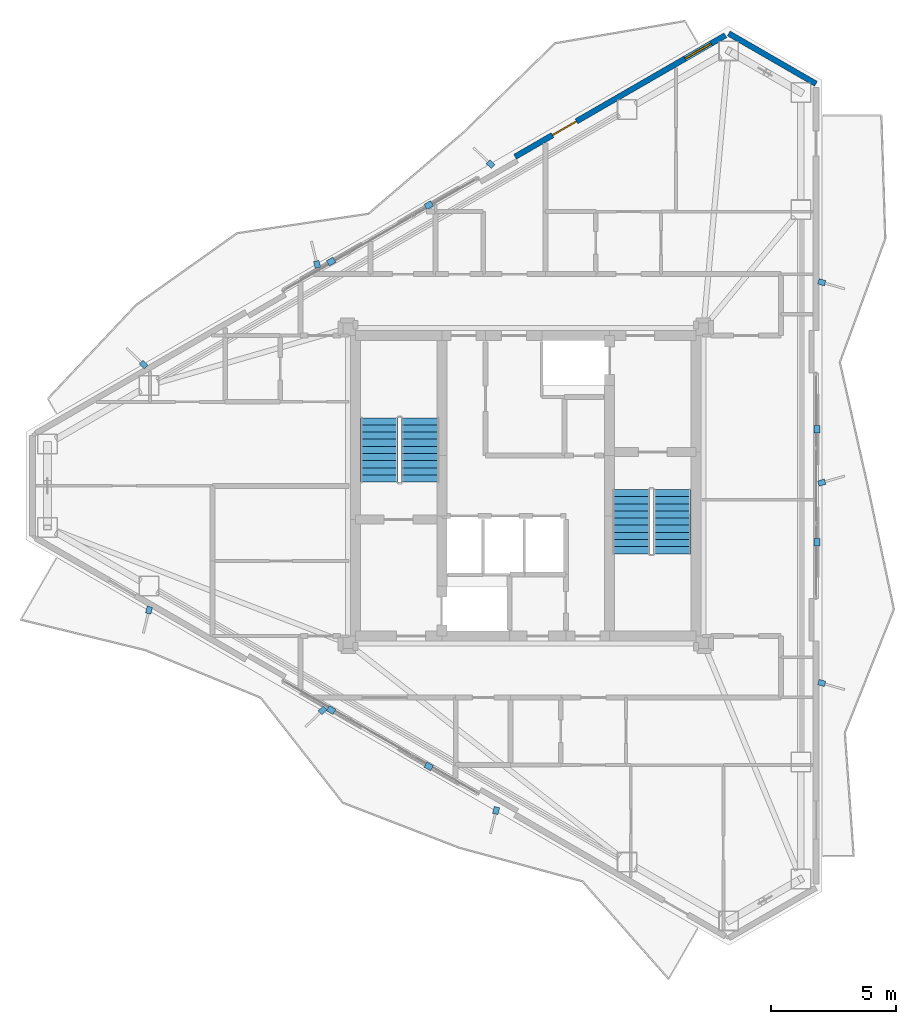
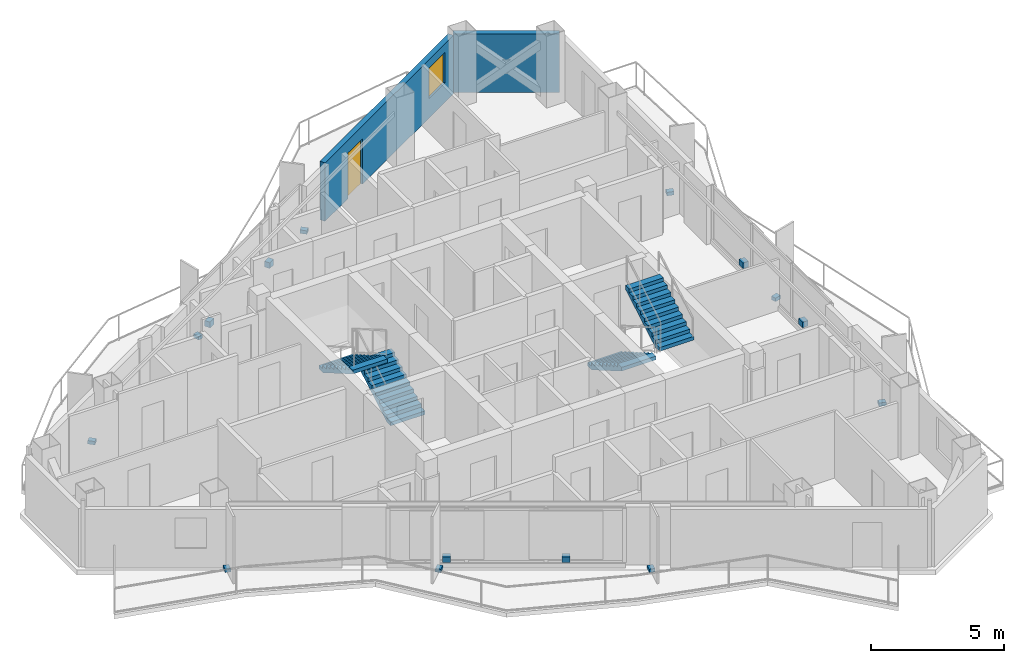
# One storey, part 20 of 22: 15 discrete accessories, 4 stair flights, 2 walls, 1 door, 1 window, 2 openings, 2 elements without a shape of their own.
"""IFC4 building model written with IfcOpenShell, lengths in metres."""

import ifcopenshell
import ifcopenshell.guid

model = None  # the IFC model being written
_history = None  # IfcOwnerHistory: only IFC2X3 demands one
_inside = {}  # id of a spatial element -> (the spatial element, [elements in it])
_under = {}  # id of a project, library or spatial element -> (it, [spatial elements below it])
_declared = {}  # id of a project -> (the project, [libraries it declares])
_typed = {}  # id of a type object -> (the type object, [elements of that type])
_made_of = {}  # id of a material, layer set ... -> (it, [elements and type objects made of it])


def new_model(schema):
    """Start an empty IFC model of exactly this schema.

    Asked for "IFC4X3", IfcOpenShell would pick the latest addendum, in which some entities
    have other attributes; the version numbers below select the first issue.
    IFC2X3 requires an IfcOwnerHistory on every rooted entity: one is made here for all.
    """
    global model, _history
    if schema == "IFC4X3":
        model = ifcopenshell.file(schema_version=(4, 3, 0, 0))
    else:
        model = ifcopenshell.file(schema=schema)
    _inside.clear()
    _under.clear()
    _declared.clear()
    _typed.clear()
    _made_of.clear()
    _history = None
    if model.schema == "IFC2X3":
        org = make("IfcOrganization", Name="unknown")
        user = make(
            "IfcPersonAndOrganization",
            ThePerson=make("IfcPerson", FamilyName="unknown"),
            TheOrganization=org,
        )
        app = make(
            "IfcApplication",
            ApplicationDeveloper=org,
            Version="unknown",
            ApplicationFullName="unknown",
            ApplicationIdentifier="unknown",
        )
        _history = make(
            "IfcOwnerHistory",
            OwningUser=user,
            OwningApplication=app,
            ChangeAction="ADDED",
            CreationDate=0,
        )
    return model


def make(cls, **values):
    """One entity of the class cls with the attributes given. An attribute that is None is left unset."""
    return model.create_entity(
        cls, **{name: value for name, value in values.items() if value is not None}
    )


def rooted(cls, **values):
    """An entity with a GlobalId (a new one), such as an element, a storey or a relation."""
    return make(cls, GlobalId=ifcopenshell.guid.new(), OwnerHistory=_history, **values)


def si_unit(unit_type, name, prefix=None):
    """IfcSIUnit, for example si_unit("LENGTHUNIT", "METRE", prefix="MILLI")."""
    return make("IfcSIUnit", UnitType=unit_type, Prefix=prefix, Name=name)


def assignment(units):
    """IfcUnitAssignment: the units of a project."""
    return None if units is None else make("IfcUnitAssignment", Units=units)


def point(xyz):
    """IfcCartesianPoint."""
    return None if xyz is None else make("IfcCartesianPoint", Coordinates=xyz)


def direction(xyz):
    """IfcDirection."""
    return None if xyz is None else make("IfcDirection", DirectionRatios=xyz)


def frame(location, z_axis=None, x_axis=None):
    """IfcAxis2Placement3D, a coordinate frame: its origin and axes. An axis left out is left unset."""
    return make(
        "IfcAxis2Placement3D",
        Location=point(location),
        Axis=direction(z_axis),
        RefDirection=direction(x_axis),
    )


def frame_2d(location, x_axis=None):
    """IfcAxis2Placement2D, a coordinate frame in the plane: its origin and x axis."""
    return make(
        "IfcAxis2Placement2D", Location=point(location), RefDirection=direction(x_axis)
    )


def origin():
    """The frame at (0, 0, 0) with its axes left unset."""
    return frame((0.0, 0.0, 0.0))


def origin_2d():
    """The frame at (0, 0) in the plane with its x axis left unset."""
    return frame_2d((0.0, 0.0))


def place(relative_to, where):
    """IfcLocalPlacement: puts the frame where relative to a parent placement (None: the world)."""
    return make(
        "IfcLocalPlacement", PlacementRelTo=relative_to, RelativePlacement=where
    )


def context(
    kind, dimensions, precision=None, world=None, true_north=None, identifier=None
):
    """IfcGeometricRepresentationContext, for example the 3D "Model" context."""
    return make(
        "IfcGeometricRepresentationContext",
        ContextIdentifier=identifier,
        ContextType=kind,
        CoordinateSpaceDimension=dimensions,
        Precision=precision,
        WorldCoordinateSystem=world,
        TrueNorth=true_north,
    )


def subcontext(parent, identifier, kind, view, scale=None):
    """IfcGeometricRepresentationSubContext, for example "Body" below "Model"."""
    return make(
        "IfcGeometricRepresentationSubContext",
        ContextIdentifier=identifier,
        ContextType=kind,
        ParentContext=parent,
        TargetScale=scale,
        TargetView=view,
    )


def project(units=None, contexts=None):
    """IfcProject with its units and contexts."""
    return rooted(
        "IfcProject",
        Name="project",
        RepresentationContexts=contexts,
        UnitsInContext=assignment(units),
    )


def spatial(cls, under=None, at=None, **own):
    """A site, building, storey or space (cls), placed at a placement, below another one or the project."""
    s = rooted(cls, ObjectPlacement=at, **own)
    if under is not None:
        _under.setdefault(under.id(), (under, []))[1].append(s)
    return s


def polyline(points):
    """IfcPolyline through the points."""
    return make("IfcPolyline", Points=[point(p) for p in points])


def profile(cls, at=None, kind="AREA", **sizes):
    """A parametric profile (cls). Its sizes go by their IFC names, for example OverallWidth=200.0."""
    return make(cls, ProfileType=kind, Position=at, **sizes)


def rectangle(**sizes):
    """IfcRectangleProfileDef."""
    return profile("IfcRectangleProfileDef", **sizes)


def outline(outer, holes=None, kind="AREA"):
    """IfcArbitraryClosedProfileDef: a profile drawn as a closed curve; with holes, ...WithVoids."""
    if holes is None:
        return make("IfcArbitraryClosedProfileDef", ProfileType=kind, OuterCurve=outer)
    return make(
        "IfcArbitraryProfileDefWithVoids",
        ProfileType=kind,
        OuterCurve=outer,
        InnerCurves=holes,
    )


def extrude(swept, where, along, depth):
    """IfcExtrudedAreaSolid: the profile swept, set in the frame where, extruded along a direction by depth."""
    return make(
        "IfcExtrudedAreaSolid",
        SweptArea=swept,
        Position=where,
        ExtrudedDirection=direction(along),
        Depth=depth,
    )


def shape(context_of_items, identifier, shape_type, items):
    """IfcShapeRepresentation: the items that make up one representation, for example the "Body"."""
    return make(
        "IfcShapeRepresentation",
        ContextOfItems=context_of_items,
        RepresentationIdentifier=identifier,
        RepresentationType=shape_type,
        Items=items,
    )


def material(Name=None, Category=None):
    """IfcMaterial."""
    return make("IfcMaterial", Name=Name, Category=Category)


def layer(
    of_material, thickness, ventilated=None, Name=None, Category=None, Priority=None
):
    """IfcMaterialLayer: one layer of a wall or slab, of a material (None: an air gap)."""
    return make(
        "IfcMaterialLayer",
        Material=of_material,
        LayerThickness=thickness,
        IsVentilated=ventilated,
        Name=Name,
        Category=Category,
        Priority=Priority,
    )


def layer_set(layers, Name=None):
    """IfcMaterialLayerSet."""
    return make("IfcMaterialLayerSet", MaterialLayers=layers, LayerSetName=Name)


def made_of(thing, what):
    """Note that an element or type object is made of a material, layer set ...; save() writes the relation."""
    if what is not None:
        _made_of.setdefault(what.id(), (what, []))[1].append(thing)
    return thing


def type_object(cls, material=None, **own):
    """A type object (cls), such as IfcWallType, which elements share."""
    return made_of(rooted(cls, **own), material)


def element(
    cls,
    number,
    at=None,
    inside=None,
    cuts=None,
    type_object=None,
    material=None,
    context=None,
    identifier="Body",
    shape_type=None,
    held_by="IfcProductDefinitionShape",
    body=None,
    shapes=None,
    **own,
):
    """One element of the class cls, such as IfcWall. Its Tag is "e" and its number.

    at: its placement. inside: the storey or other place that contains it. cuts: it is an
    opening in that element (IfcRelVoidsElement). A single representation is given by context,
    identifier, shape_type and body (its items); several are given by shapes. held_by: the class
    of the entity that holds the representations. save() writes the other relations.
    """
    e = rooted(cls, Tag="e%d" % number, ObjectPlacement=at, **own)
    if body is not None:
        shapes = [shape(context, identifier, shape_type, body)]
    if shapes is not None:
        e.Representation = make(held_by, Representations=shapes)
    if inside is not None:
        _inside.setdefault(inside.id(), (inside, []))[1].append(e)
    if cuts is not None:
        rooted(
            "IfcRelVoidsElement", RelatingBuildingElement=cuts, RelatedOpeningElement=e
        )
    if type_object is not None:
        _typed.setdefault(type_object.id(), (type_object, []))[1].append(e)
    return made_of(e, material)


def fill(opening, filler):
    """IfcRelFillsElement: the door or window that sits in an opening."""
    return rooted(
        "IfcRelFillsElement",
        RelatingOpeningElement=opening,
        RelatedBuildingElement=filler,
    )


def aggregate(whole, parts):
    """IfcRelAggregates: a whole, such as a stair, and the parts it consists of."""
    return rooted("IfcRelAggregates", RelatingObject=whole, RelatedObjects=parts)


def save(model, path):
    """Write the relations noted so far, then the file.

    IfcRelAggregates (storeys below a building ...), IfcRelContainedInSpatialStructure (elements
    in a storey), IfcRelDefinesByType, IfcRelAssociatesMaterial and IfcRelDeclares: one each for
    every whole, place, type object, material and project.
    """
    for whole, parts in _under.values():
        aggregate(whole, parts)
    for where, things in _inside.values():
        rooted(
            "IfcRelContainedInSpatialStructure",
            RelatedElements=things,
            RelatingStructure=where,
        )
    for kind, things in _typed.values():
        rooted("IfcRelDefinesByType", RelatedObjects=things, RelatingType=kind)
    for what, things in _made_of.values():
        rooted("IfcRelAssociatesMaterial", RelatedObjects=things, RelatingMaterial=what)
    for by, libraries in _declared.values():
        rooted("IfcRelDeclares", RelatingContext=by, RelatedDefinitions=libraries)
    model.write(path)


model = new_model("IFC4")

# Units and contexts
model_context = context("Model", 3, precision=1e-05, world=origin(), true_north=direction((0.0, 1.0)))
body_context = subcontext(model_context, "Body", "Model", "MODEL_VIEW")
ifc_project = project(units=[si_unit("LENGTHUNIT", "METRE"), si_unit("AREAUNIT", "SQUARE_METRE"), si_unit("VOLUMEUNIT", "CUBIC_METRE"), si_unit("PLANEANGLEUNIT", "RADIAN"), si_unit("MASSUNIT", "GRAM", prefix="KILO")], contexts=[model_context])

# Site, building, storey
site_placement = place(None, origin())
site = spatial("IfcSite", under=ifc_project, at=site_placement, CompositionType="ELEMENT")
building_placement = place(site_placement, origin())
building = spatial("IfcBuilding", under=site, at=building_placement, Name="Mersakhor Tower and Convention Hall", CompositionType="ELEMENT")
storey_placement = place(building_placement, frame((0.0, 0.0, 195.300048828125)))
storey = spatial("IfcBuildingStorey", under=building, at=storey_placement, Name="L54", CompositionType="ELEMENT", Elevation=195.300048828125)

# Wall
ifc_material_1 = material(Name="Precast concrete C40/50", Category="concrete")
ifc_layer_1 = layer(ifc_material_1, 0.22509765625)
ifc_layer_set_1 = layer_set([ifc_layer_1], Name="Precast concrete C40/50")
wall_type = type_object("IfcWallType", Name="WL-EXT-225", PredefinedType="SOLIDWALL", material=ifc_layer_set_1)
wall_1_placement = place(storey_placement, frame((37.10400390625, 44.81005859375, 0.0), z_axis=(0.0, 0.0, 1.0), x_axis=(0.866023907196, -0.500002592159, 0.0)))
element("IfcWall", 1, at=wall_1_placement, inside=storey, type_object=wall_type, Name="L54 Chamfer Braced Spandrel Wall C1", PredefinedType="SOLIDWALL", context=body_context, shape_type="SweptSolid", body=[
    extrude(rectangle(XDim=4.0234375, YDim=0.22509765625, at=frame_2d((2.01171875, 0.0))), origin(), (0.0, 0.0, 1.0), 2.68994140625),
])

# Wall, openings, door, window
wall_2_placement = place(storey_placement, frame((28.57470703125, 39.885498046875, 0.0), z_axis=(0.0, 0.0, 1.0), x_axis=(0.866016233231, 0.500015883528, 0.0)))
wall_2 = element("IfcWall", 2, at=wall_2_placement, inside=storey, type_object=wall_type, Name="L54 Exterior Facade Wall F1-B3", PredefinedType="SOLIDWALL", context=body_context, shape_type="SweptSolid", body=[
    extrude(rectangle(XDim=9.698974609375, YDim=0.22509765625, at=frame_2d((4.849609375, 0.0))), origin(), (0.0, 0.0, 1.0), 2.68994140625),
])
opening_1_placement = place(wall_2_placement, frame((1.72998046875, 0.0, 0.0)))
opening_1 = element("IfcOpeningElement", 3, at=opening_1_placement, cuts=wall_2, Name="Opening BD-02", PredefinedType="OPENING", context=body_context, shape_type="SweptSolid", body=[
    extrude(rectangle(XDim=1.10009765625, YDim=2.10009765625, at=frame_2d((0.550048828125, 1.050048828125))), frame((0.0, 0.12255859375, 0.0), z_axis=(0.0, -1.0, 0.0), x_axis=(1.0, 0.0, 0.0)), (0.0, 0.0, 1.0), 0.2451171875),
])
opening_2_placement = place(wall_2_placement, frame((7.8359375, 0.0, 0.89990234375)))
opening_2 = element("IfcOpeningElement", 4, at=opening_2_placement, cuts=wall_2, Name="Opening W-01", PredefinedType="OPENING", context=body_context, shape_type="SweptSolid", body=[
    extrude(rectangle(XDim=1.199951171875, YDim=1.39990234375, at=frame_2d((0.60009765625, 0.699951171875))), frame((0.0, 0.12255859375, 0.0), z_axis=(0.0, -1.0, 0.0), x_axis=(1.0, 0.0, 0.0)), (0.0, 0.0, 1.0), 0.2451171875),
])
ifc_material_2 = material(Name="Thermally broken dark aluminium and safety glass", Category="aluminium")
door_type = type_object("IfcDoorType", Name="DR-BAL-110x210", OperationType="NOTDEFINED", PredefinedType="DOOR", material=ifc_material_2)
door_placement = place(opening_1_placement, origin())
door = element("IfcDoor", 5, at=door_placement, inside=storey, type_object=door_type, Name="L54 Balcony Terrace Door F1-B3", OperationType="SINGLE_SWING_RIGHT", OverallHeight=2.10009765625, OverallWidth=1.10009765625, PredefinedType="DOOR", context=body_context, shape_type="SweptSolid", body=[
    extrude(rectangle(XDim=1.10009765625, YDim=2.10009765625, at=frame_2d((0.550048828125, 1.050048828125))), frame((0.0, 0.02490234375, 0.0), z_axis=(0.0, -1.0, 0.0), x_axis=(1.0, 0.0, 0.0)), (0.0, 0.0, 1.0), 0.050048828125),
])
fill(opening_1, door)
ifc_material_3 = material(Name="Dark solar low-E glazed aluminium window", Category="aluminium")
window_type = type_object("IfcWindowType", Name="WN-RES-120x150", PartitioningType="SINGLE_PANEL", PredefinedType="WINDOW", material=ifc_material_3)
window_placement = place(opening_2_placement, origin())
window = element("IfcWindow", 6, at=window_placement, inside=storey, type_object=window_type, Name="L54 Bedroom Facade Window F1-B3-1", OverallHeight=1.39990234375, OverallWidth=1.199951171875, PartitioningType="SINGLE_PANEL", PredefinedType="WINDOW", context=body_context, shape_type="SweptSolid", body=[
    extrude(rectangle(XDim=1.199951171875, YDim=1.39990234375, at=frame_2d((0.60009765625, 0.699951171875))), frame((0.0, 0.030029296875, 0.0), z_axis=(0.0, -1.0, 0.0), x_axis=(1.0, 0.0, 0.0)), (0.0, 0.0, 1.0), 0.06005859375),
])
fill(opening_2, window)

# Stair, stair flights
ifc_material_4 = material(Name="Concrete C45/55", Category="concrete")
stair_type = type_object("IfcStairType", Name="ST-TWR-20R", PredefinedType="HALF_TURN_STAIR", material=ifc_material_4)
stair_1_placement = place(storey_placement, origin())
stair_1 = element("IfcStair", 7, at=stair_1_placement, inside=storey, type_object=stair_type, Name="L54 Tower Protected Exit Stair ST-1", PredefinedType="HALF_TURN_STAIR")
ifc_material_5 = material(Name="Concrete C45/55", Category="concrete")
stair_flight_type = type_object("IfcStairFlightType", Name="SFL-TWR-20R", PredefinedType="STRAIGHT", material=ifc_material_5)
stair_flight_1_placement = place(storey_placement, frame((24.800048828125, 26.89990234375, 0.0), z_axis=(0.0, 0.0, 1.0), x_axis=(0.0, 1.0, 0.0)))
stair_flight_1 = element("IfcStairFlight", 8, at=stair_flight_1_placement, type_object=stair_flight_type, Name="ST-1 flight 1", NumberOfRisers=10, NumberOfTreads=9, PredefinedType="STRAIGHT", RiserHeight=0.165, TreadLength=0.285, context=body_context, shape_type="SweptSolid", body=[
    extrude(outline(polyline([(0.0, 0.0), (0.0, 0.1650390625), (0.284912109375, 0.1650390625), (0.284912109375, 0.330078125), (0.570068359375, 0.330078125), (0.570068359375, 0.4951171875), (0.85498046875, 0.4951171875), (0.85498046875, 0.659912109375), (1.139892578125, 0.659912109375), (1.139892578125, 0.824951171875), (1.425048828125, 0.824951171875), (1.425048828125, 0.989990234375), (1.7099609375, 0.989990234375), (1.7099609375, 1.155029296875), (1.9951171875, 1.155029296875), (1.9951171875, 1.320068359375), (2.280029296875, 1.320068359375), (2.280029296875, 1.485107421875), (2.56494140625, 1.485107421875), (2.56494140625, 1.64990234375), (2.56494140625, 1.311767578125), (0.299072265625, 0.0), (0.0, 0.0)])), frame((0.0, 0.75, 0.0), z_axis=(0.0, -1.0, 0.0), x_axis=(1.0, 0.0, 0.0)), (0.0, 0.0, 1.0), 1.5),
])
stair_flight_2_placement = place(storey_placement, frame((23.14990234375, 29.465087890625, 1.64990234375), z_axis=(0.0, 0.0, 1.0), x_axis=(0.0, -1.0, 0.0)))
stair_flight_2 = element("IfcStairFlight", 9, at=stair_flight_2_placement, type_object=stair_flight_type, Name="ST-1 flight 2", NumberOfRisers=10, NumberOfTreads=9, PredefinedType="STRAIGHT", RiserHeight=0.165, TreadLength=0.285, context=body_context, shape_type="SweptSolid", body=[
    extrude(outline(polyline([(0.0, 0.0), (0.0, 0.1650390625), (0.284912109375, 0.1650390625), (0.284912109375, 0.330078125), (0.570068359375, 0.330078125), (0.570068359375, 0.4951171875), (0.85498046875, 0.4951171875), (0.85498046875, 0.659912109375), (1.139892578125, 0.659912109375), (1.139892578125, 0.824951171875), (1.425048828125, 0.824951171875), (1.425048828125, 0.989990234375), (1.7099609375, 0.989990234375), (1.7099609375, 1.155029296875), (1.9951171875, 1.155029296875), (1.9951171875, 1.320068359375), (2.280029296875, 1.320068359375), (2.280029296875, 1.485107421875), (2.56494140625, 1.485107421875), (2.56494140625, 1.64990234375), (2.56494140625, 1.311767578125), (0.299072265625, 0.0), (0.0, 0.0)])), frame((0.0, 0.75, 0.0), z_axis=(0.0, -1.0, 0.0), x_axis=(1.0, 0.0, 0.0)), (0.0, 0.0, 1.0), 1.5),
])
aggregate(stair_1, [stair_flight_1, stair_flight_2])

stair_2_placement = place(storey_placement, origin())
stair_2 = element("IfcStair", 10, at=stair_2_placement, inside=storey, type_object=stair_type, Name="L54 Tower Protected Exit Stair ST-2", PredefinedType="HALF_TURN_STAIR")
stair_flight_3_placement = place(storey_placement, frame((33.199951171875, 26.60009765625, 0.0), z_axis=(0.0, 0.0, 1.0), x_axis=(0.0, -1.0, 0.0)))
stair_flight_3 = element("IfcStairFlight", 11, at=stair_flight_3_placement, type_object=stair_flight_type, Name="ST-2 flight 1", NumberOfRisers=10, NumberOfTreads=9, PredefinedType="STRAIGHT", RiserHeight=0.165, TreadLength=0.285, context=body_context, shape_type="SweptSolid", body=[
    extrude(outline(polyline([(0.0, 0.0), (0.0, 0.1650390625), (0.284912109375, 0.1650390625), (0.284912109375, 0.330078125), (0.570068359375, 0.330078125), (0.570068359375, 0.4951171875), (0.85498046875, 0.4951171875), (0.85498046875, 0.659912109375), (1.139892578125, 0.659912109375), (1.139892578125, 0.824951171875), (1.425048828125, 0.824951171875), (1.425048828125, 0.989990234375), (1.7099609375, 0.989990234375), (1.7099609375, 1.155029296875), (1.9951171875, 1.155029296875), (1.9951171875, 1.320068359375), (2.280029296875, 1.320068359375), (2.280029296875, 1.485107421875), (2.56494140625, 1.485107421875), (2.56494140625, 1.64990234375), (2.56494140625, 1.311767578125), (0.299072265625, 0.0), (0.0, 0.0)])), frame((0.0, 0.75, 0.0), z_axis=(0.0, -1.0, 0.0), x_axis=(1.0, 0.0, 0.0)), (0.0, 0.0, 1.0), 1.5),
])
stair_flight_4_placement = place(storey_placement, frame((34.85009765625, 24.034912109375, 1.64990234375), z_axis=(0.0, 0.0, 1.0), x_axis=(0.0, 1.0, 0.0)))
stair_flight_4 = element("IfcStairFlight", 12, at=stair_flight_4_placement, type_object=stair_flight_type, Name="ST-2 flight 2", NumberOfRisers=10, NumberOfTreads=9, PredefinedType="STRAIGHT", RiserHeight=0.165, TreadLength=0.285, context=body_context, shape_type="SweptSolid", body=[
    extrude(outline(polyline([(0.0, 0.0), (0.0, 0.1650390625), (0.284912109375, 0.1650390625), (0.284912109375, 0.330078125), (0.570068359375, 0.330078125), (0.570068359375, 0.4951171875), (0.85498046875, 0.4951171875), (0.85498046875, 0.659912109375), (1.139892578125, 0.659912109375), (1.139892578125, 0.824951171875), (1.425048828125, 0.824951171875), (1.425048828125, 0.989990234375), (1.7099609375, 0.989990234375), (1.7099609375, 1.155029296875), (1.9951171875, 1.155029296875), (1.9951171875, 1.320068359375), (2.280029296875, 1.320068359375), (2.280029296875, 1.485107421875), (2.56494140625, 1.485107421875), (2.56494140625, 1.64990234375), (2.56494140625, 1.311767578125), (0.299072265625, 0.0), (0.0, 0.0)])), frame((0.0, 0.75, 0.0), z_axis=(0.0, -1.0, 0.0), x_axis=(1.0, 0.0, 0.0)), (0.0, 0.0, 1.0), 1.5),
])
aggregate(stair_2, [stair_flight_3, stair_flight_4])

# Discrete accessories
ifc_material_6 = material(Name="Galvanised steel bracket", Category="steel")
ifc_layer_2 = layer(ifc_material_6, 0.02001953125)
ifc_layer_set_2 = layer_set([ifc_layer_2], Name="Galvanised steel bracket")
discrete_accessory_type = type_object("IfcDiscreteAccessoryType", Name="ACC-BRK-STL", PredefinedType="BRACKET", material=ifc_layer_set_2)
for number, where, z_axis, x_axis, name in (
    (13, (21.232421875, 35.704345703125, 0.2900390625), (0.0, 0.0, 1.0), (0.866025403784, 0.5, 0.0), "L54 Solar Screen Outrigger Bracket BRK-1-1"),
    (14, (25.129150390625, 37.9541015625, 0.2900390625), (0.0, 0.0, 1.0), (0.866025403784, 0.5, 0.0), "L54 Solar Screen Outrigger Bracket BRK-1-2"),
):
    element("IfcDiscreteAccessory", number, at=place(storey_placement, frame(where, z_axis=z_axis, x_axis=x_axis)), inside=storey, type_object=discrete_accessory_type, Name=name, PredefinedType="BRACKET", context=body_context, shape_type="SweptSolid", body=[
        extrude(rectangle(XDim=0.300048828125, YDim=0.239990234375, at=origin_2d()), origin(), (0.0, 0.0, 1.0), 0.260009765625),
    ])
for number, where, z_axis, x_axis, name in (
    (15, (13.743896484375, 31.588623046875, -0.02001953125), (0.0, 0.0, 1.0), (-0.719339800339, 0.694658370459, 0.0), "L54 Facade Fin Base Cleat Bracket FBRK-1-1"),
    (16, (20.672119140625, 35.588623046875, -0.02001953125), (0.0, 0.0, 1.0), (-0.2419218956, 0.970295726276, 0.0), "L54 Facade Fin Base Cleat Bracket FBRK-1-2"),
    (17, (27.600341796875, 39.588623046875, -0.02001953125), (0.0, 0.0, 1.0), (-0.719339800339, 0.694658370459, 0.0), "L54 Facade Fin Base Cleat Bracket FBRK-1-3"),
):
    element("IfcDiscreteAccessory", number, at=place(storey_placement, frame(where, z_axis=z_axis, x_axis=x_axis)), inside=storey, type_object=discrete_accessory_type, Name=name, PredefinedType="BRACKET", context=body_context, shape_type="SweptSolid", body=[
        extrude(rectangle(XDim=0.280029296875, YDim=0.219970703125, at=origin_2d()), origin(), (0.0, 0.0, 1.0), 0.159912109375),
    ])
for number, where, z_axis, x_axis, name in (
    (18, (40.638427734375, 28.999755859375, 0.2900390625), (0.0, 0.0, 1.0), (0.0, -1.0, 0.0), "L54 Solar Screen Outrigger Bracket BRK-2-1"),
    (19, (40.638427734375, 24.500244140625, 0.2900390625), (0.0, 0.0, 1.0), (0.0, -1.0, 0.0), "L54 Solar Screen Outrigger Bracket BRK-2-2"),
):
    element("IfcDiscreteAccessory", number, at=place(storey_placement, frame(where, z_axis=z_axis, x_axis=x_axis)), inside=storey, type_object=discrete_accessory_type, Name=name, PredefinedType="BRACKET", context=body_context, shape_type="SweptSolid", body=[
        extrude(rectangle(XDim=0.300048828125, YDim=0.239990234375, at=origin_2d()), origin(), (0.0, 0.0, 1.0), 0.260009765625),
    ])
for number, where, z_axis, x_axis, name in (
    (20, (40.818359375, 34.8759765625, -0.02001953125), (0.0, 0.0, 1.0), (0.961261695938, -0.275637355817, 0.0), "L54 Facade Fin Base Cleat Bracket FBRK-2-1"),
    (21, (40.818359375, 26.8759765625, -0.02001953125), (0.0, 0.0, 1.0), (0.961261695938, 0.275637355817, 0.0), "L54 Facade Fin Base Cleat Bracket FBRK-2-2"),
    (22, (40.818359375, 18.8759765625, -0.02001953125), (0.0, 0.0, 1.0), (0.961261695938, -0.275637355817, 0.0), "L54 Facade Fin Base Cleat Bracket FBRK-2-3"),
):
    element("IfcDiscreteAccessory", number, at=place(storey_placement, frame(where, z_axis=z_axis, x_axis=x_axis)), inside=storey, type_object=discrete_accessory_type, Name=name, PredefinedType="BRACKET", context=body_context, shape_type="SweptSolid", body=[
        extrude(rectangle(XDim=0.280029296875, YDim=0.219970703125, at=origin_2d()), origin(), (0.0, 0.0, 1.0), 0.159912109375),
    ])
for number, where, z_axis, x_axis, name in (
    (23, (25.129150390625, 15.5458984375, 0.2900390625), (0.0, 0.0, 1.0), (-0.866025403784, 0.5, 0.0), "L54 Solar Screen Outrigger Bracket BRK-3-1"),
    (24, (21.232421875, 17.795654296875, 0.2900390625), (0.0, 0.0, 1.0), (-0.866025403784, 0.5, 0.0), "L54 Solar Screen Outrigger Bracket BRK-3-2"),
):
    element("IfcDiscreteAccessory", number, at=place(storey_placement, frame(where, z_axis=z_axis, x_axis=x_axis)), inside=storey, type_object=discrete_accessory_type, Name=name, PredefinedType="BRACKET", context=body_context, shape_type="SweptSolid", body=[
        extrude(rectangle(XDim=0.300048828125, YDim=0.239990234375, at=origin_2d()), origin(), (0.0, 0.0, 1.0), 0.260009765625),
    ])
for number, where, z_axis, x_axis, name in (
    (25, (27.81884765625, 13.785400390625, -0.02001953125), (0.0, 0.0, 1.0), (-0.2419218956, -0.970295726276, 0.0), "L54 Facade Fin Base Cleat Bracket FBRK-3-1"),
    (26, (20.890625, 17.785400390625, -0.02001953125), (0.0, 0.0, 1.0), (-0.719339800339, -0.694658370459, 0.0), "L54 Facade Fin Base Cleat Bracket FBRK-3-2"),
    (27, (13.96240234375, 21.785400390625, -0.02001953125), (0.0, 0.0, 1.0), (-0.2419218956, -0.970295726276, 0.0), "L54 Facade Fin Base Cleat Bracket FBRK-3-3"),
):
    element("IfcDiscreteAccessory", number, at=place(storey_placement, frame(where, z_axis=z_axis, x_axis=x_axis)), inside=storey, type_object=discrete_accessory_type, Name=name, PredefinedType="BRACKET", context=body_context, shape_type="SweptSolid", body=[
        extrude(rectangle(XDim=0.280029296875, YDim=0.219970703125, at=origin_2d()), origin(), (0.0, 0.0, 1.0), 0.159912109375),
    ])

save(model, "model.ifc")
